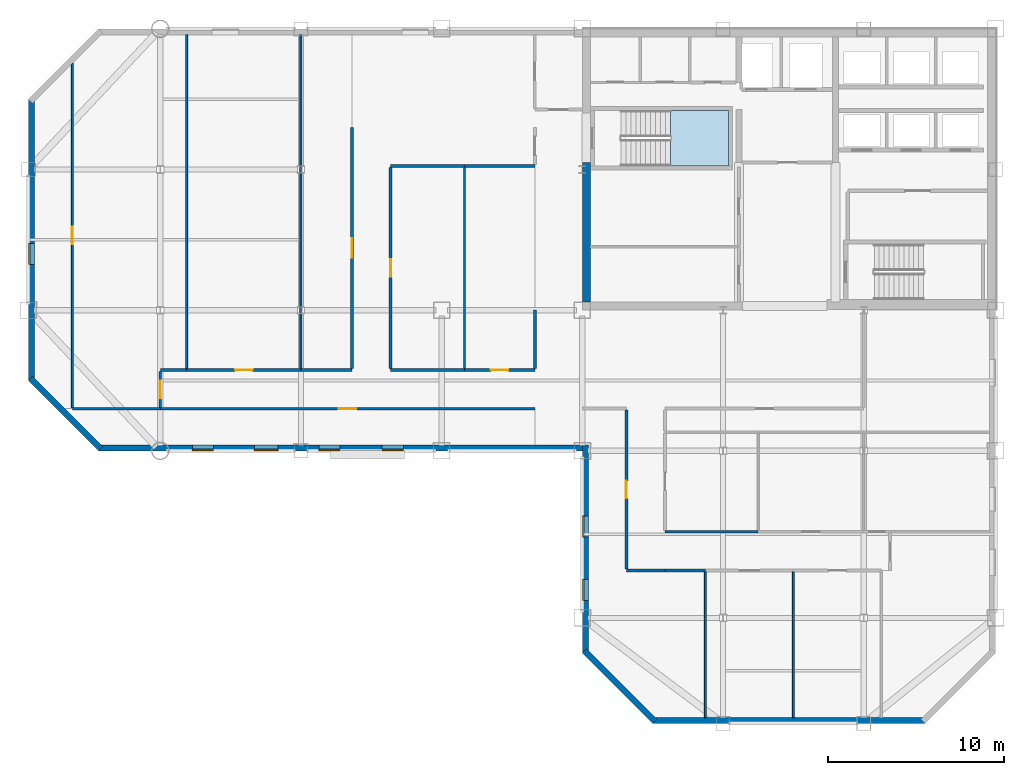
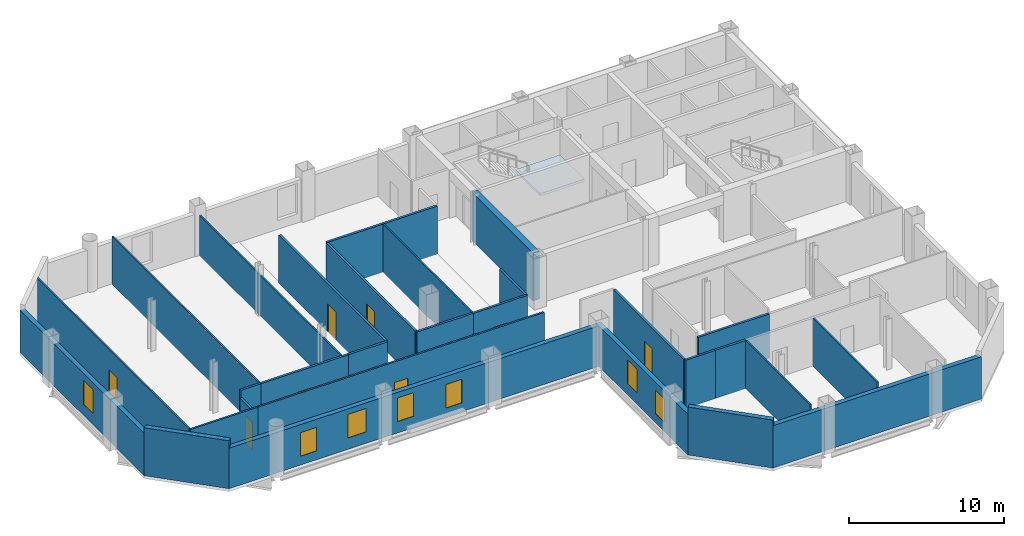
# One storey, part 4 of 9: 30 walls, 8 doors, 7 windows, 1 slab, 15 openings, 1 element without a shape of its own.
"""IFC4 building model written with IfcOpenShell, lengths in metres."""

from ifc_helpers import new_model, si_unit, direction, frame, frame_2d, origin, place, context, subcontext, project, spatial, polyline, rectangle, outline, extrude, material, layer, layer_set, type_object, element, fill, aggregate, save


model = new_model("IFC4")

# Units and contexts
model_context = context("Model", 3, precision=1e-05, world=origin(), true_north=direction((0.0, 1.0)))
body_context = subcontext(model_context, "Body", "Model", "MODEL_VIEW")
ifc_project = project(units=[si_unit("LENGTHUNIT", "METRE"), si_unit("AREAUNIT", "SQUARE_METRE"), si_unit("VOLUMEUNIT", "CUBIC_METRE"), si_unit("PLANEANGLEUNIT", "RADIAN"), si_unit("MASSUNIT", "GRAM", prefix="KILO")], contexts=[model_context])

# Site, building, storey
site_placement = place(None, origin())
site = spatial("IfcSite", under=ifc_project, at=site_placement, CompositionType="ELEMENT")
building_placement = place(site_placement, origin())
building = spatial("IfcBuilding", under=site, at=building_placement, Name="Qianrong Seaharbour Tower", CompositionType="ELEMENT")
storey_placement = place(building_placement, frame((0.0, 0.0, 269.800048828125)))
storey = spatial("IfcBuildingStorey", under=building, at=storey_placement, Name="L65", CompositionType="ELEMENT", Elevation=269.800048828125)

# Stair, slab
ifc_material_1 = material(Name="Concrete C50/60", Category="concrete")
stair_type = type_object("IfcStairType", Name="STAIR-DOGLEG-1500-R22", PredefinedType="HALF_TURN_STAIR", material=ifc_material_1)
stair_placement = place(storey_placement, origin())
stair = element("IfcStair", 1, at=stair_placement, inside=storey, type_object=stair_type, Name="L65 Protected Escape Stair ST-1", PredefinedType="HALF_TURN_STAIR")
ifc_layer_1 = layer(ifc_material_1, 0.199951171875)
ifc_layer_set_1 = layer_set([ifc_layer_1], Name="Concrete C50/60")
slab_type = type_object("IfcSlabType", Name="SLAB-STAIR-LANDING-200", PredefinedType="LANDING", material=ifc_layer_set_1)
slab_placement = place(storey_placement, frame((0.0, 0.0, 1.800048828125)))
slab = element("IfcSlab", 2, at=slab_placement, type_object=slab_type, Name="ST-1 landing 1", PredefinedType="LANDING", context=body_context, shape_type="SweptSolid", body=[
    extrude(outline(polyline([(45.5, 44.199951171875), (48.800048828125, 44.199951171875), (48.800048828125, 47.35009765625), (45.5, 47.35009765625), (45.5, 44.199951171875)])), origin(), (0.0, 0.0, 1.0), 0.199951171875),
])
aggregate(stair, [slab])

# Wall
ifc_material_2 = material(Name="Concrete C60/75", Category="concrete")
ifc_layer_2 = layer(ifc_material_2, 0.4599609375)
ifc_layer_set_2 = layer_set([ifc_layer_2], Name="Concrete C60/75")
wall_type_1 = type_object("IfcWallType", Name="WALL-CORE-460", PredefinedType="SHEAR", material=ifc_layer_set_2)
wall_1_placement = place(storey_placement, frame((40.72998046875, 36.4599609375, 0.0), z_axis=(0.0, 0.0, 1.0), x_axis=(0.0, 1.0, 0.0)))
element("IfcWall", 3, at=wall_1_placement, inside=storey, type_object=wall_type_1, Name="L65 West Core Shear Wall South", PredefinedType="SHEAR", context=body_context, shape_type="SweptSolid", body=[
    extrude(rectangle(XDim=7.93994140625, YDim=0.4599609375, at=frame_2d((3.969970703125, 0.0))), origin(), (0.0, 0.0, 1.0), 3.77490234375),
])

# Wall, opening, door
ifc_material_3 = material(Name="Fire-rated acoustic gypsum board partition")
ifc_layer_3 = layer(ifc_material_3, 0.1650390625)
ifc_layer_set_3 = layer_set([ifc_layer_3], Name="Fire-rated acoustic gypsum board partition")
wall_type_2 = type_object("IfcWallType", Name="WALL-CORR-PART-165", PredefinedType="PARTITIONING", material=ifc_layer_set_3)
wall_2_placement = place(storey_placement, frame((16.5, 30.45703125, 0.0), z_axis=(0.0, 0.0, 1.0), x_axis=(0.0, 1.0, 0.0)))
wall_2 = element("IfcWall", 4, at=wall_2_placement, inside=storey, type_object=wall_type_2, Name="L65 Interior Partition Wall 015", PredefinedType="PARTITIONING", context=body_context, shape_type="SweptSolid", body=[
    extrude(rectangle(XDim=2.068359375, YDim=0.1650390625, at=frame_2d((1.0341796875, 0.0))), origin(), (0.0, 0.0, 1.0), 3.178955078125),
])
opening_1_placement = place(wall_2_placement, frame((0.5341796875, 0.0, 0.0)))
opening_1 = element("IfcOpeningElement", 5, at=opening_1_placement, cuts=wall_2, Name="Opening DO-01", PredefinedType="OPENING", context=body_context, shape_type="SweptSolid", body=[
    extrude(rectangle(XDim=1.0, YDim=2.14990234375, at=frame_2d((0.5, 1.074951171875))), frame((0.0, 0.092529296875, 0.0), z_axis=(0.0, -1.0, 0.0), x_axis=(1.0, 0.0, 0.0)), (0.0, 0.0, 1.0), 0.18505859375),
])
ifc_material_4 = material(Name="Acoustic timber and galvanized steel fire door assembly", Category="steel")
door_type_1 = type_object("IfcDoorType", Name="DOOR-OFFICE-1000x2150", OperationType="NOTDEFINED", PredefinedType="DOOR", material=ifc_material_4)
door_1_placement = place(opening_1_placement, origin())
door_1 = element("IfcDoor", 6, at=door_1_placement, inside=storey, type_object=door_type_1, Name="L65 Navigation Systems Showroom 2 Door", OperationType="SINGLE_SWING_RIGHT", OverallHeight=2.14990234375, OverallWidth=1.0, PredefinedType="DOOR", context=body_context, shape_type="SweptSolid", body=[
    extrude(rectangle(XDim=1.0, YDim=2.14990234375, at=frame_2d((0.5, 1.074951171875))), frame((0.0, 0.02490234375, 0.0), z_axis=(0.0, -1.0, 0.0), x_axis=(1.0, 0.0, 0.0)), (0.0, 0.0, 1.0), 0.050048828125),
])
fill(opening_1, door_1)

# Wall
wall_3_placement = place(storey_placement, frame((16.5, 32.60009765625, 0.0), z_axis=(0.0, 0.0, 1.0), x_axis=(1.0, 0.0, 0.0)))
element("IfcWall", 7, at=wall_3_placement, inside=storey, type_object=wall_type_2, Name="L65 Interior Partition Wall 016", PredefinedType="PARTITIONING", context=body_context, shape_type="SweptSolid", body=[
    extrude(rectangle(XDim=1.5, YDim=0.1650390625, at=frame_2d((0.75, 0.0))), origin(), (0.0, 0.0, 1.0), 3.77490234375),
])

# Wall, opening, door
wall_4_placement = place(storey_placement, frame((18.0, 32.60009765625, 0.0), z_axis=(0.0, 0.0, 1.0), x_axis=(1.0, 0.0, 0.0)))
wall_4 = element("IfcWall", 8, at=wall_4_placement, inside=storey, type_object=wall_type_2, Name="L65 Interior Partition Wall 017", PredefinedType="PARTITIONING", context=body_context, shape_type="SweptSolid", body=[
    extrude(rectangle(XDim=6.5, YDim=0.1650390625, at=frame_2d((3.25, 0.0))), origin(), (0.0, 0.0, 1.0), 3.77490234375),
])
opening_2_placement = place(wall_4_placement, frame((2.75, 0.0, 0.0)))
opening_2 = element("IfcOpeningElement", 9, at=opening_2_placement, cuts=wall_4, Name="Opening DO-01", PredefinedType="OPENING", context=body_context, shape_type="SweptSolid", body=[
    extrude(rectangle(XDim=1.0, YDim=2.14990234375, at=frame_2d((0.5, 1.074951171875))), frame((0.0, 0.092529296875, 0.0), z_axis=(0.0, -1.0, 0.0), x_axis=(1.0, 0.0, 0.0)), (0.0, 0.0, 1.0), 0.18505859375),
])
door_2_placement = place(opening_2_placement, origin())
door_2 = element("IfcDoor", 10, at=door_2_placement, inside=storey, type_object=door_type_1, Name="L65 Marine Propulsion Showroom 3 Door", OperationType="SINGLE_SWING_LEFT", OverallHeight=2.14990234375, OverallWidth=1.0, PredefinedType="DOOR", context=body_context, shape_type="SweptSolid", body=[
    extrude(rectangle(XDim=1.0, YDim=2.14990234375, at=frame_2d((0.5, 1.074951171875))), frame((0.0, 0.02490234375, 0.0), z_axis=(0.0, -1.0, 0.0), x_axis=(1.0, 0.0, 0.0)), (0.0, 0.0, 1.0), 0.050048828125),
])
fill(opening_2, door_2)

# Walls
wall_5_placement = place(storey_placement, frame((24.5, 32.60009765625, 0.0), z_axis=(0.0, 0.0, 1.0), x_axis=(1.0, 0.0, 0.0)))
element("IfcWall", 11, at=wall_5_placement, inside=storey, type_object=wall_type_2, Name="L65 Interior Partition Wall 018", PredefinedType="PARTITIONING", context=body_context, shape_type="SweptSolid", body=[
    extrude(rectangle(XDim=2.89990234375, YDim=0.1650390625, at=frame_2d((1.449951171875, 0.0))), origin(), (0.0, 0.0, 1.0), 3.77490234375),
])
wall_6_placement = place(storey_placement, frame((29.60009765625, 32.60009765625, 0.0), z_axis=(0.0, 0.0, 1.0), x_axis=(1.0, 0.0, 0.0)))
element("IfcWall", 12, at=wall_6_placement, inside=storey, type_object=wall_type_2, Name="L65 Interior Partition Wall 019", PredefinedType="PARTITIONING", context=body_context, shape_type="SweptSolid", body=[
    extrude(rectangle(XDim=4.199951171875, YDim=0.1650390625, at=frame_2d((2.10009765625, 0.0))), origin(), (0.0, 0.0, 1.0), 3.77490234375),
])

# Wall, opening, door
wall_7_placement = place(storey_placement, frame((33.800048828125, 32.60009765625, 0.0), z_axis=(0.0, 0.0, 1.0), x_axis=(1.0, 0.0, 0.0)))
wall_7 = element("IfcWall", 13, at=wall_7_placement, inside=storey, type_object=wall_type_2, Name="L65 Interior Partition Wall 020", PredefinedType="PARTITIONING", context=body_context, shape_type="SweptSolid", body=[
    extrude(rectangle(XDim=4.0, YDim=0.1650390625, at=frame_2d((2.0, 0.0))), origin(), (0.0, 0.0, 1.0), 3.77490234375),
])
opening_3_placement = place(wall_7_placement, frame((1.5, 0.0, 0.0)))
opening_3 = element("IfcOpeningElement", 14, at=opening_3_placement, cuts=wall_7, Name="Opening DO-01", PredefinedType="OPENING", context=body_context, shape_type="SweptSolid", body=[
    extrude(rectangle(XDim=1.0, YDim=2.14990234375, at=frame_2d((0.5, 1.074951171875))), frame((0.0, 0.092529296875, 0.0), z_axis=(0.0, -1.0, 0.0), x_axis=(1.0, 0.0, 0.0)), (0.0, 0.0, 1.0), 0.18505859375),
])
door_3_placement = place(opening_3_placement, origin())
door_3 = element("IfcDoor", 15, at=door_3_placement, inside=storey, type_object=door_type_1, Name="L65 Fleet Logistics Showroom 2 Door", OperationType="SINGLE_SWING_RIGHT", OverallHeight=2.14990234375, OverallWidth=1.0, PredefinedType="DOOR", context=body_context, shape_type="SweptSolid", body=[
    extrude(rectangle(XDim=1.0, YDim=2.14990234375, at=frame_2d((0.5, 1.074951171875))), frame((0.0, 0.02490234375, 0.0), z_axis=(0.0, -1.0, 0.0), x_axis=(1.0, 0.0, 0.0)), (0.0, 0.0, 1.0), 0.050048828125),
])
fill(opening_3, door_3)

wall_8_placement = place(storey_placement, frame((27.39990234375, 32.674560546875, 0.0), z_axis=(0.0, 0.0, 1.0), x_axis=(0.0, 1.0, 0.0)))
wall_8 = element("IfcWall", 16, at=wall_8_placement, inside=storey, type_object=wall_type_2, Name="L65 Interior Partition Wall 022", PredefinedType="PARTITIONING", context=body_context, shape_type="SweptSolid", body=[
    extrude(rectangle(XDim=13.725341796875, YDim=0.1650390625, at=frame_2d((6.86279296875, 0.0))), origin(), (0.0, 0.0, 1.0), 3.77490234375),
])
opening_4_placement = place(wall_8_placement, frame((6.312744140625, 0.0, 0.0)))
opening_4 = element("IfcOpeningElement", 17, at=opening_4_placement, cuts=wall_8, Name="Opening DM-01", PredefinedType="OPENING", context=body_context, shape_type="SweptSolid", body=[
    extrude(rectangle(XDim=1.10009765625, YDim=2.199951171875, at=frame_2d((0.550048828125, 1.10009765625))), frame((0.0, 0.092529296875, 0.0), z_axis=(0.0, -1.0, 0.0), x_axis=(1.0, 0.0, 0.0)), (0.0, 0.0, 1.0), 0.18505859375),
])
door_type_2 = type_object("IfcDoorType", Name="DOOR-MEET-1100x2200", OperationType="NOTDEFINED", PredefinedType="DOOR", material=ifc_material_4)
door_4_placement = place(opening_4_placement, origin())
door_4 = element("IfcDoor", 18, at=door_4_placement, inside=storey, type_object=door_type_2, Name="L65 Contract Meeting Room 4 Door", OperationType="SINGLE_SWING_RIGHT", OverallHeight=2.199951171875, OverallWidth=1.10009765625, PredefinedType="DOOR", context=body_context, shape_type="SweptSolid", body=[
    extrude(rectangle(XDim=1.10009765625, YDim=2.199951171875, at=frame_2d((0.550048828125, 1.10009765625))), frame((0.0, 0.02490234375, 0.0), z_axis=(0.0, -1.0, 0.0), x_axis=(1.0, 0.0, 0.0)), (0.0, 0.0, 1.0), 0.050048828125),
])
fill(opening_4, door_4)

wall_9_placement = place(storey_placement, frame((29.60009765625, 44.12548828125, 0.0), z_axis=(0.0, 0.0, 1.0), x_axis=(0.0, -1.0, 0.0)))
wall_9 = element("IfcWall", 19, at=wall_9_placement, inside=storey, type_object=wall_type_2, Name="L65 Interior Partition Wall 023", PredefinedType="PARTITIONING", context=body_context, shape_type="SweptSolid", body=[
    extrude(rectangle(XDim=11.450927734375, YDim=0.1650390625, at=frame_2d((5.7255859375, 0.0))), origin(), (0.0, 0.0, 1.0), 3.77490234375),
])
opening_5_placement = place(wall_9_placement, frame((5.2255859375, 0.0, 0.0)))
opening_5 = element("IfcOpeningElement", 20, at=opening_5_placement, cuts=wall_9, Name="Opening DO-01", PredefinedType="OPENING", context=body_context, shape_type="SweptSolid", body=[
    extrude(rectangle(XDim=1.0, YDim=2.14990234375, at=frame_2d((0.5, 1.074951171875))), frame((0.0, 0.092529296875, 0.0), z_axis=(0.0, -1.0, 0.0), x_axis=(1.0, 0.0, 0.0)), (0.0, 0.0, 1.0), 0.18505859375),
])
door_5_placement = place(opening_5_placement, origin())
door_5 = element("IfcDoor", 21, at=door_5_placement, inside=storey, type_object=door_type_1, Name="L65 Cargo Systems Showroom 1 Door", OperationType="SINGLE_SWING_LEFT", OverallHeight=2.14990234375, OverallWidth=1.0, PredefinedType="DOOR", context=body_context, shape_type="SweptSolid", body=[
    extrude(rectangle(XDim=1.0, YDim=2.14990234375, at=frame_2d((0.5, 1.074951171875))), frame((0.0, 0.02490234375, 0.0), z_axis=(0.0, -1.0, 0.0), x_axis=(1.0, 0.0, 0.0)), (0.0, 0.0, 1.0), 0.050048828125),
])
fill(opening_5, door_5)

# Walls
wall_10_placement = place(storey_placement, frame((33.800048828125, 44.199951171875, 0.0), z_axis=(0.0, 0.0, 1.0), x_axis=(-1.0, 0.0, 0.0)))
element("IfcWall", 22, at=wall_10_placement, inside=storey, type_object=wall_type_2, Name="L65 Interior Partition Wall 024", PredefinedType="PARTITIONING", context=body_context, shape_type="SweptSolid", body=[
    extrude(rectangle(XDim=4.199951171875, YDim=0.1650390625, at=frame_2d((2.10009765625, 0.0))), origin(), (0.0, 0.0, 1.0), 3.77490234375),
])
wall_11_placement = place(storey_placement, frame((37.800048828125, 44.199951171875, 0.0), z_axis=(0.0, 0.0, 1.0), x_axis=(-1.0, 0.0, 0.0)))
element("IfcWall", 23, at=wall_11_placement, inside=storey, type_object=wall_type_2, Name="L65 Interior Partition Wall 025", PredefinedType="PARTITIONING", context=body_context, shape_type="SweptSolid", body=[
    extrude(rectangle(XDim=4.0, YDim=0.1650390625, at=frame_2d((2.0, 0.0))), origin(), (0.0, 0.0, 1.0), 3.77490234375),
])
wall_12_placement = place(storey_placement, frame((37.800048828125, 32.674560546875, 0.0), z_axis=(0.0, 0.0, 1.0), x_axis=(0.0, 1.0, 0.0)))
element("IfcWall", 24, at=wall_12_placement, inside=storey, type_object=wall_type_2, Name="L65 Interior Partition Wall 028", PredefinedType="PARTITIONING", context=body_context, shape_type="SweptSolid", body=[
    extrude(rectangle(XDim=3.325439453125, YDim=0.1650390625, at=frame_2d((1.66259765625, 0.0))), origin(), (0.0, 0.0, 1.0), 3.77490234375),
])
wall_13_placement = place(storey_placement, frame((45.199951171875, 21.199951171875, 0.0), z_axis=(0.0, 0.0, 1.0), x_axis=(-1.0, 0.0, 0.0)))
element("IfcWall", 25, at=wall_13_placement, inside=storey, type_object=wall_type_2, Name="L65 Interior Partition Wall 032", PredefinedType="PARTITIONING", context=body_context, shape_type="SweptSolid", body=[
    extrude(rectangle(XDim=2.199951171875, YDim=0.1650390625, at=frame_2d((1.10009765625, 0.0))), origin(), (0.0, 0.0, 1.0), 3.77490234375),
])

# Wall, opening, door
wall_14_placement = place(storey_placement, frame((43.0, 21.2744140625, 0.0), z_axis=(0.0, 0.0, 1.0), x_axis=(0.0, 1.0, 0.0)))
wall_14 = element("IfcWall", 26, at=wall_14_placement, inside=storey, type_object=wall_type_2, Name="L65 Interior Partition Wall 033", PredefinedType="PARTITIONING", context=body_context, shape_type="SweptSolid", body=[
    extrude(rectangle(XDim=9.051025390625, YDim=0.1650390625, at=frame_2d((4.525390625, 0.0))), origin(), (0.0, 0.0, 1.0), 3.77490234375),
])
opening_6_placement = place(wall_14_placement, frame((4.025390625, 0.0, 0.0)))
opening_6 = element("IfcOpeningElement", 27, at=opening_6_placement, cuts=wall_14, Name="Opening DO-01", PredefinedType="OPENING", context=body_context, shape_type="SweptSolid", body=[
    extrude(rectangle(XDim=1.0, YDim=2.14990234375, at=frame_2d((0.5, 1.074951171875))), frame((0.0, 0.092529296875, 0.0), z_axis=(0.0, -1.0, 0.0), x_axis=(1.0, 0.0, 0.0)), (0.0, 0.0, 1.0), 0.18505859375),
])
door_6_placement = place(opening_6_placement, origin())
door_6 = element("IfcDoor", 28, at=door_6_placement, inside=storey, type_object=door_type_1, Name="L65 Harbour Trade Lounge 1 Door", OperationType="SINGLE_SWING_RIGHT", OverallHeight=2.14990234375, OverallWidth=1.0, PredefinedType="DOOR", context=body_context, shape_type="SweptSolid", body=[
    extrude(rectangle(XDim=1.0, YDim=2.14990234375, at=frame_2d((0.5, 1.074951171875))), frame((0.0, 0.02490234375, 0.0), z_axis=(0.0, -1.0, 0.0), x_axis=(1.0, 0.0, 0.0)), (0.0, 0.0, 1.0), 0.050048828125),
])
fill(opening_6, door_6)

# Walls
wall_15_placement = place(storey_placement, frame((45.199951171875, 23.39990234375, 0.0), z_axis=(0.0, 0.0, 1.0), x_axis=(1.0, 0.0, 0.0)))
element("IfcWall", 29, at=wall_15_placement, inside=storey, type_object=wall_type_2, Name="L65 Interior Partition Wall 034", PredefinedType="PARTITIONING", context=body_context, shape_type="SweptSolid", body=[
    extrude(rectangle(XDim=5.300048828125, YDim=0.1650390625, at=frame_2d((2.64990234375, 0.0))), origin(), (0.0, 0.0, 1.0), 3.467041015625),
])
wall_16_placement = place(storey_placement, frame((47.5, 21.199951171875, 0.0), z_axis=(0.0, 0.0, 1.0), x_axis=(-1.0, 0.0, 0.0)))
element("IfcWall", 30, at=wall_16_placement, inside=storey, type_object=wall_type_2, Name="L65 Interior Partition Wall 037", PredefinedType="PARTITIONING", context=body_context, shape_type="SweptSolid", body=[
    extrude(rectangle(XDim=2.300048828125, YDim=0.1650390625, at=frame_2d((1.14990234375, 0.0))), origin(), (0.0, 0.0, 1.0), 3.77490234375),
])

# Wall, opening, door
ifc_material_5 = material(Name="Demountable aluminium-framed acoustic office partition", Category="aluminium")
ifc_layer_4 = layer(ifc_material_5, 0.110107421875)
ifc_layer_set_4 = layer_set([ifc_layer_4], Name="Demountable aluminium-framed acoustic office partition")
wall_type_3 = type_object("IfcWallType", Name="WALL-DEMOUNT-110", PredefinedType="MOVABLE", material=ifc_layer_set_4)
wall_17_placement = place(storey_placement, frame((11.5, 50.030517578125, 0.0), z_axis=(0.0, 0.0, 1.0), x_axis=(0.0, -1.0, 0.0)))
wall_17 = element("IfcWall", 31, at=wall_17_placement, inside=storey, type_object=wall_type_3, Name="L65 Interior Partition Wall 047", PredefinedType="MOVABLE", context=body_context, shape_type="SweptSolid", body=[
    extrude(rectangle(XDim=19.573486328125, YDim=0.110107421875, at=frame_2d((9.78662109375, 0.0))), origin(), (0.0, 0.0, 1.0), 3.77490234375),
])
opening_7_placement = place(wall_17_placement, frame((9.28662109375, 0.0, 0.0)))
opening_7 = element("IfcOpeningElement", 32, at=opening_7_placement, cuts=wall_17, Name="Opening DO-01", PredefinedType="OPENING", context=body_context, shape_type="SweptSolid", body=[
    extrude(rectangle(XDim=1.0, YDim=2.14990234375, at=frame_2d((0.5, 1.074951171875))), frame((0.0, 0.06494140625, 0.0), z_axis=(0.0, -1.0, 0.0), x_axis=(1.0, 0.0, 0.0)), (0.0, 0.0, 1.0), 0.130126953125),
])
door_7_placement = place(opening_7_placement, origin())
door_7 = element("IfcDoor", 33, at=door_7_placement, inside=storey, type_object=door_type_1, Name="L65 Vessel Model Showroom 1 Door", OperationType="SINGLE_SWING_LEFT", OverallHeight=2.14990234375, OverallWidth=1.0, PredefinedType="DOOR", context=body_context, shape_type="SweptSolid", body=[
    extrude(rectangle(XDim=1.0, YDim=2.14990234375, at=frame_2d((0.5, 1.074951171875))), frame((0.0, 0.02490234375, 0.0), z_axis=(0.0, -1.0, 0.0), x_axis=(1.0, 0.0, 0.0)), (0.0, 0.0, 1.0), 0.050048828125),
])
fill(opening_7, door_7)

# Walls
wall_18_placement = place(storey_placement, frame((18.0, 51.66796875, 0.0), z_axis=(0.0, 0.0, 1.0), x_axis=(0.0, -1.0, 0.0)))
element("IfcWall", 34, at=wall_18_placement, inside=storey, type_object=wall_type_3, Name="L65 Interior Partition Wall 048", PredefinedType="MOVABLE", context=body_context, shape_type="SweptSolid", body=[
    extrude(rectangle(XDim=18.993408203125, YDim=0.110107421875, at=frame_2d((9.49658203125, 0.0))), origin(), (0.0, 0.0, 1.0), 3.77490234375),
])
wall_19_placement = place(storey_placement, frame((24.5, 51.66796875, 0.0), z_axis=(0.0, 0.0, 1.0), x_axis=(0.0, -1.0, 0.0)))
element("IfcWall", 35, at=wall_19_placement, inside=storey, type_object=wall_type_3, Name="L65 Interior Partition Wall 050", PredefinedType="MOVABLE", context=body_context, shape_type="SweptSolid", body=[
    extrude(rectangle(XDim=18.993408203125, YDim=0.110107421875, at=frame_2d((9.49658203125, 0.0))), origin(), (0.0, 0.0, 1.0), 3.178955078125),
])
wall_20_placement = place(storey_placement, frame((33.800048828125, 44.12548828125, 0.0), z_axis=(0.0, 0.0, 1.0), x_axis=(0.0, -1.0, 0.0)))
element("IfcWall", 36, at=wall_20_placement, inside=storey, type_object=wall_type_3, Name="L65 Interior Partition Wall 051", PredefinedType="MOVABLE", context=body_context, shape_type="SweptSolid", body=[
    extrude(rectangle(XDim=11.450927734375, YDim=0.110107421875, at=frame_2d((5.7255859375, 0.0))), origin(), (0.0, 0.0, 1.0), 3.77490234375),
])
for number, where, z_axis, x_axis, name in (
    (37, (47.5, 21.12548828125, 0.0), (0.0, 0.0, 1.0), (0.0, -1.0, 0.0), "L65 Interior Partition Wall 052"),
    (38, (52.5, 21.12548828125, 0.0), (0.0, 0.0, 1.0), (0.0, -1.0, 0.0), "L65 Interior Partition Wall 053"),
):
    element("IfcWall", number, at=place(storey_placement, frame(where, z_axis=z_axis, x_axis=x_axis)), inside=storey, type_object=wall_type_3, Name=name, PredefinedType="MOVABLE", context=body_context, shape_type="SweptSolid", body=[
        extrude(rectangle(XDim=8.29345703125, YDim=0.110107421875, at=frame_2d((4.146728515625, 0.0))), origin(), (0.0, 0.0, 1.0), 3.77490234375),
    ])

# Wall, openings, windows
ifc_material_6 = material(Name="Unitised buff brick on Precast concrete C45/55", Category="masonry")
ifc_layer_5 = layer(ifc_material_6, 0.340087890625)
ifc_layer_set_5 = layer_set([ifc_layer_5], Name="Unitised buff brick on Precast concrete C45/55")
wall_type_4 = type_object("IfcWallType", Name="WALL-EXT-BRICK-BUFF-340", PredefinedType="SOLIDWALL", material=ifc_layer_set_5)
wall_21_placement = place(storey_placement, frame((40.669921875, 16.5, 0.0), z_axis=(0.0, 0.0, 1.0), x_axis=(0.0, 1.0, 0.0)))
wall_21 = element("IfcWall", 39, at=wall_21_placement, inside=storey, type_object=wall_type_4, Name="L65 Exterior Masonry Facade Wall REENTRANT_WEST", PredefinedType="SOLIDWALL", context=body_context, shape_type="SweptSolid", body=[
    extrude(rectangle(XDim=11.840087890625, YDim=0.340087890625, at=frame_2d((5.919921875, 0.0))), origin(), (0.0, 0.0, 1.0), 3.18701171875),
])
opening_8_placement = place(wall_21_placement, frame((3.0, 0.0, 0.699951171875)))
opening_8 = element("IfcOpeningElement", 40, at=opening_8_placement, cuts=wall_21, Name="Opening WN-01", PredefinedType="OPENING", context=body_context, shape_type="SweptSolid", body=[
    extrude(rectangle(XDim=1.199951171875, YDim=1.85009765625, at=frame_2d((0.60009765625, 0.925048828125))), frame((0.0, 0.18017578125, 0.0), z_axis=(0.0, -1.0, 0.0), x_axis=(1.0, 0.0, 0.0)), (0.0, 0.0, 1.0), 0.360107421875),
])
opening_9_placement = place(wall_21_placement, frame((6.60009765625, 0.0, 0.89990234375)))
opening_9 = element("IfcOpeningElement", 41, at=opening_9_placement, cuts=wall_21, Name="Opening WN-01", PredefinedType="OPENING", context=body_context, shape_type="SweptSolid", body=[
    extrude(rectangle(XDim=1.199951171875, YDim=1.85009765625, at=frame_2d((0.60009765625, 0.925048828125))), frame((0.0, 0.18017578125, 0.0), z_axis=(0.0, -1.0, 0.0), x_axis=(1.0, 0.0, 0.0)), (0.0, 0.0, 1.0), 0.360107421875),
])
ifc_material_7 = material(Name="Insulated low-e double glazing in thermally broken aluminium 6063-T6 frame", Category="aluminium")
window_type_1 = type_object("IfcWindowType", Name="WIN-PUNCH-1200x1850", PartitioningType="DOUBLE_PANEL_VERTICAL", PredefinedType="WINDOW", material=ifc_material_7)
window_1_placement = place(opening_8_placement, origin())
window_1 = element("IfcWindow", 42, at=window_1_placement, inside=storey, type_object=window_type_1, Name="L65 Deep-Set Punched Window 00.01", OverallHeight=1.85009765625, OverallWidth=1.199951171875, PartitioningType="DOUBLE_PANEL_VERTICAL", PredefinedType="WINDOW", context=body_context, shape_type="SweptSolid", body=[
    extrude(rectangle(XDim=1.199951171875, YDim=1.85009765625, at=frame_2d((0.60009765625, 0.925048828125))), frame((0.0, 0.150146484375, 0.0), z_axis=(0.0, -1.0, 0.0), x_axis=(1.0, 0.0, 0.0)), (0.0, 0.0, 1.0), 0.06005859375),
])
fill(opening_8, window_1)
window_2_placement = place(opening_9_placement, origin())
window_2 = element("IfcWindow", 43, at=window_2_placement, inside=storey, type_object=window_type_1, Name="L65 Deep-Set Punched Window 00.02", OverallHeight=1.85009765625, OverallWidth=1.199951171875, PartitioningType="DOUBLE_PANEL_VERTICAL", PredefinedType="WINDOW", context=body_context, shape_type="SweptSolid", body=[
    extrude(rectangle(XDim=1.199951171875, YDim=1.85009765625, at=frame_2d((0.60009765625, 0.925048828125))), frame((0.0, 0.150146484375, 0.0), z_axis=(0.0, -1.0, 0.0), x_axis=(1.0, 0.0, 0.0)), (0.0, 0.0, 1.0), 0.06005859375),
])
fill(opening_9, window_2)

wall_22_placement = place(storey_placement, frame((40.52001953125, 28.169921875, 0.0), z_axis=(0.0, 0.0, 1.0), x_axis=(-1.0, 0.0, 0.0)))
wall_22 = element("IfcWall", 44, at=wall_22_placement, inside=storey, type_object=wall_type_4, Name="L65 Exterior Masonry Facade Wall HARBOUR_RIBBON", PredefinedType="SOLIDWALL", context=body_context, shape_type="SweptSolid", body=[
    extrude(rectangle(XDim=27.52001953125, YDim=0.340087890625, at=frame_2d((13.760009765625, 0.0))), origin(), (0.0, 0.0, 1.0), 3.18701171875),
])
opening_10_placement = place(wall_22_placement, frame((10.199951171875, 0.0, 0.699951171875)))
opening_10 = element("IfcOpeningElement", 45, at=opening_10_placement, cuts=wall_22, Name="Opening WN-01", PredefinedType="OPENING", context=body_context, shape_type="SweptSolid", body=[
    extrude(rectangle(XDim=1.199951171875, YDim=1.85009765625, at=frame_2d((0.60009765625, 0.925048828125))), frame((0.0, 0.18017578125, 0.0), z_axis=(0.0, -1.0, 0.0), x_axis=(1.0, 0.0, 0.0)), (0.0, 0.0, 1.0), 0.360107421875),
])
opening_11_placement = place(wall_22_placement, frame((13.800048828125, 0.0, 0.89990234375)))
opening_11 = element("IfcOpeningElement", 46, at=opening_11_placement, cuts=wall_22, Name="Opening WN-01", PredefinedType="OPENING", context=body_context, shape_type="SweptSolid", body=[
    extrude(rectangle(XDim=1.199951171875, YDim=1.85009765625, at=frame_2d((0.60009765625, 0.925048828125))), frame((0.0, 0.18017578125, 0.0), z_axis=(0.0, -1.0, 0.0), x_axis=(1.0, 0.0, 0.0)), (0.0, 0.0, 1.0), 0.360107421875),
])
opening_12_placement = place(wall_22_placement, frame((17.324951171875, 0.0, 0.89990234375)))
opening_12 = element("IfcOpeningElement", 47, at=opening_12_placement, cuts=wall_22, Name="Opening WN-02", PredefinedType="OPENING", context=body_context, shape_type="SweptSolid", body=[
    extrude(rectangle(XDim=1.35009765625, YDim=1.85009765625, at=frame_2d((0.675048828125, 0.925048828125))), frame((0.0, 0.18017578125, 0.0), z_axis=(0.0, -1.0, 0.0), x_axis=(1.0, 0.0, 0.0)), (0.0, 0.0, 1.0), 0.360107421875),
])
opening_13_placement = place(wall_22_placement, frame((21.0, 0.0, 0.699951171875)))
opening_13 = element("IfcOpeningElement", 48, at=opening_13_placement, cuts=wall_22, Name="Opening WN-01", PredefinedType="OPENING", context=body_context, shape_type="SweptSolid", body=[
    extrude(rectangle(XDim=1.199951171875, YDim=1.85009765625, at=frame_2d((0.60009765625, 0.925048828125))), frame((0.0, 0.18017578125, 0.0), z_axis=(0.0, -1.0, 0.0), x_axis=(1.0, 0.0, 0.0)), (0.0, 0.0, 1.0), 0.360107421875),
])
window_3_placement = place(opening_10_placement, origin())
window_3 = element("IfcWindow", 49, at=window_3_placement, inside=storey, type_object=window_type_1, Name="L65 Deep-Set Punched Window 01.03", OverallHeight=1.85009765625, OverallWidth=1.199951171875, PartitioningType="DOUBLE_PANEL_VERTICAL", PredefinedType="WINDOW", context=body_context, shape_type="SweptSolid", body=[
    extrude(rectangle(XDim=1.199951171875, YDim=1.85009765625, at=frame_2d((0.60009765625, 0.925048828125))), frame((0.0, 0.150146484375, 0.0), z_axis=(0.0, -1.0, 0.0), x_axis=(1.0, 0.0, 0.0)), (0.0, 0.0, 1.0), 0.06005859375),
])
fill(opening_10, window_3)
window_4_placement = place(opening_11_placement, origin())
window_4 = element("IfcWindow", 50, at=window_4_placement, inside=storey, type_object=window_type_1, Name="L65 Deep-Set Punched Window 01.04", OverallHeight=1.85009765625, OverallWidth=1.199951171875, PartitioningType="DOUBLE_PANEL_VERTICAL", PredefinedType="WINDOW", context=body_context, shape_type="SweptSolid", body=[
    extrude(rectangle(XDim=1.199951171875, YDim=1.85009765625, at=frame_2d((0.60009765625, 0.925048828125))), frame((0.0, 0.150146484375, 0.0), z_axis=(0.0, -1.0, 0.0), x_axis=(1.0, 0.0, 0.0)), (0.0, 0.0, 1.0), 0.06005859375),
])
fill(opening_11, window_4)
window_5_placement = place(opening_13_placement, origin())
window_5 = element("IfcWindow", 51, at=window_5_placement, inside=storey, type_object=window_type_1, Name="L65 Deep-Set Punched Window 01.06", OverallHeight=1.85009765625, OverallWidth=1.199951171875, PartitioningType="DOUBLE_PANEL_VERTICAL", PredefinedType="WINDOW", context=body_context, shape_type="SweptSolid", body=[
    extrude(rectangle(XDim=1.199951171875, YDim=1.85009765625, at=frame_2d((0.60009765625, 0.925048828125))), frame((0.0, 0.150146484375, 0.0), z_axis=(0.0, -1.0, 0.0), x_axis=(1.0, 0.0, 0.0)), (0.0, 0.0, 1.0), 0.06005859375),
])
fill(opening_13, window_5)
window_type_2 = type_object("IfcWindowType", Name="WIN-PUNCH-1350x1850", PartitioningType="DOUBLE_PANEL_VERTICAL", PredefinedType="WINDOW", material=ifc_material_7)
window_6_placement = place(opening_12_placement, origin())
window_6 = element("IfcWindow", 52, at=window_6_placement, inside=storey, type_object=window_type_2, Name="L65 Deep-Set Punched Window 01.05", OverallHeight=1.85009765625, OverallWidth=1.35009765625, PartitioningType="DOUBLE_PANEL_VERTICAL", PredefinedType="WINDOW", context=body_context, shape_type="SweptSolid", body=[
    extrude(rectangle(XDim=1.35009765625, YDim=1.85009765625, at=frame_2d((0.675048828125, 0.925048828125))), frame((0.0, 0.150146484375, 0.0), z_axis=(0.0, -1.0, 0.0), x_axis=(1.0, 0.0, 0.0)), (0.0, 0.0, 1.0), 0.06005859375),
])
fill(opening_12, window_6)

# Wall
wall_23_placement = place(storey_placement, frame((13.1201171875, 28.1201171875, 0.0), z_axis=(0.0, 0.0, 1.0), x_axis=(-0.707106781187, 0.707106781187, 0.0)))
element("IfcWall", 53, at=wall_23_placement, inside=storey, type_object=wall_type_4, Name="L65 Exterior Masonry Facade Wall E02", PredefinedType="SOLIDWALL", context=body_context, shape_type="SweptSolid", body=[
    extrude(rectangle(XDim=5.65673828125, YDim=0.340087890625, at=frame_2d((2.828369140625, 0.0))), origin(), (0.0, 0.0, 1.0), 3.77490234375),
])

# Wall, opening, window
wall_24_placement = place(storey_placement, frame((9.169921875, 32.0, 0.0), z_axis=(0.0, 0.0, 1.0), x_axis=(0.0, 1.0, 0.0)))
wall_24 = element("IfcWall", 54, at=wall_24_placement, inside=storey, type_object=wall_type_4, Name="L65 Exterior Masonry Facade Wall WEST_TIP", PredefinedType="SOLIDWALL", context=body_context, shape_type="SweptSolid", body=[
    extrude(rectangle(XDim=16.0, YDim=0.340087890625, at=frame_2d((8.0, 0.0))), origin(), (0.0, 0.0, 1.0), 3.324951171875),
])
opening_14_placement = place(wall_24_placement, frame((6.60009765625, 0.0, 0.89990234375)))
opening_14 = element("IfcOpeningElement", 55, at=opening_14_placement, cuts=wall_24, Name="Opening WN-01", PredefinedType="OPENING", context=body_context, shape_type="SweptSolid", body=[
    extrude(rectangle(XDim=1.199951171875, YDim=1.85009765625, at=frame_2d((0.60009765625, 0.925048828125))), frame((0.0, 0.18017578125, 0.0), z_axis=(0.0, -1.0, 0.0), x_axis=(1.0, 0.0, 0.0)), (0.0, 0.0, 1.0), 0.360107421875),
])
window_7_placement = place(opening_14_placement, origin())
window_7 = element("IfcWindow", 56, at=window_7_placement, inside=storey, type_object=window_type_1, Name="L65 Deep-Set Punched Window 03.02", OverallHeight=1.85009765625, OverallWidth=1.199951171875, PartitioningType="DOUBLE_PANEL_VERTICAL", PredefinedType="WINDOW", context=body_context, shape_type="SweptSolid", body=[
    extrude(rectangle(XDim=1.199951171875, YDim=1.85009765625, at=frame_2d((0.60009765625, 0.925048828125))), frame((0.0, 0.150146484375, 0.0), z_axis=(0.0, -1.0, 0.0), x_axis=(1.0, 0.0, 0.0)), (0.0, 0.0, 1.0), 0.06005859375),
])
fill(opening_14, window_7)

# Walls
wall_25_placement = place(storey_placement, frame((60.0, 12.669921875, 0.0), z_axis=(0.0, 0.0, 1.0), x_axis=(-1.0, 0.0, 0.0)))
element("IfcWall", 57, at=wall_25_placement, inside=storey, type_object=wall_type_4, Name="L65 Exterior Masonry Facade Wall SOUTH_TIP", PredefinedType="SOLIDWALL", context=body_context, shape_type="SweptSolid", body=[
    extrude(rectangle(XDim=15.5, YDim=0.340087890625, at=frame_2d((7.75, 0.0))), origin(), (0.0, 0.0, 1.0), 3.324951171875),
])
wall_26_placement = place(storey_placement, frame((44.6201171875, 12.6201171875, 0.0), z_axis=(0.0, 0.0, 1.0), x_axis=(-0.707106781187, 0.707106781187, 0.0)))
element("IfcWall", 58, at=wall_26_placement, inside=storey, type_object=wall_type_4, Name="L65 Exterior Masonry Facade Wall E09", PredefinedType="SOLIDWALL", context=body_context, shape_type="SweptSolid", body=[
    extrude(rectangle(XDim=5.65673828125, YDim=0.340087890625, at=frame_2d((2.828369140625, 0.0))), origin(), (0.0, 0.0, 1.0), 3.77490234375),
])

# Wall, opening, door
ifc_material_8 = material(Name="Water-resistant cement board sanitary partition")
ifc_layer_6 = layer(ifc_material_8, 0.1298828125)
ifc_layer_set_6 = layer_set([ifc_layer_6], Name="Water-resistant cement board sanitary partition")
wall_type_5 = type_object("IfcWallType", Name="WALL-WET-PART-130", PredefinedType="PARTITIONING", material=ifc_layer_set_6)
wall_27_placement = place(storey_placement, frame((37.800048828125, 30.39990234375, 0.0), z_axis=(0.0, 0.0, 1.0), x_axis=(-1.0, 0.0, 0.0)))
wall_27 = element("IfcWall", 59, at=wall_27_placement, inside=storey, type_object=wall_type_5, Name="L65 Interior Partition Wall 021", PredefinedType="PARTITIONING", context=body_context, shape_type="SweptSolid", body=[
    extrude(rectangle(XDim=21.300048828125, YDim=0.1298828125, at=frame_2d((10.64990234375, 0.0))), origin(), (0.0, 0.0, 1.0), 3.77490234375),
])
opening_15_placement = place(wall_27_placement, frame((10.14990234375, 0.0, 0.0)))
opening_15 = element("IfcOpeningElement", 60, at=opening_15_placement, cuts=wall_27, Name="Opening DO-01", PredefinedType="OPENING", context=body_context, shape_type="SweptSolid", body=[
    extrude(rectangle(XDim=1.0, YDim=2.14990234375, at=frame_2d((0.5, 1.074951171875))), frame((0.0, 0.074951171875, 0.0), z_axis=(0.0, -1.0, 0.0), x_axis=(1.0, 0.0, 0.0)), (0.0, 0.0, 1.0), 0.14990234375),
])
door_8_placement = place(opening_15_placement, origin())
door_8 = element("IfcDoor", 61, at=door_8_placement, inside=storey, type_object=door_type_1, Name="L65 Wet Pantry 1 Door", OperationType="SINGLE_SWING_LEFT", OverallHeight=2.14990234375, OverallWidth=1.0, PredefinedType="DOOR", context=body_context, shape_type="SweptSolid", body=[
    extrude(rectangle(XDim=1.0, YDim=2.14990234375, at=frame_2d((0.5, 1.074951171875))), frame((0.0, 0.02490234375, 0.0), z_axis=(0.0, -1.0, 0.0), x_axis=(1.0, 0.0, 0.0)), (0.0, 0.0, 1.0), 0.050048828125),
])
fill(opening_15, door_8)

# Wall
wall_28_placement = place(storey_placement, frame((16.5, 30.39990234375, 0.0), z_axis=(0.0, 0.0, 1.0), x_axis=(-1.0, 0.0, 0.0)))
element("IfcWall", 62, at=wall_28_placement, inside=storey, type_object=wall_type_5, Name="L65 Interior Partition Wall 049", PredefinedType="PARTITIONING", context=body_context, shape_type="SweptSolid", body=[
    extrude(rectangle(XDim=5.0, YDim=0.1298828125, at=frame_2d((2.5, 0.0))), origin(), (0.0, 0.0, 1.0), 3.77490234375),
])

save(model, "model.ifc")
